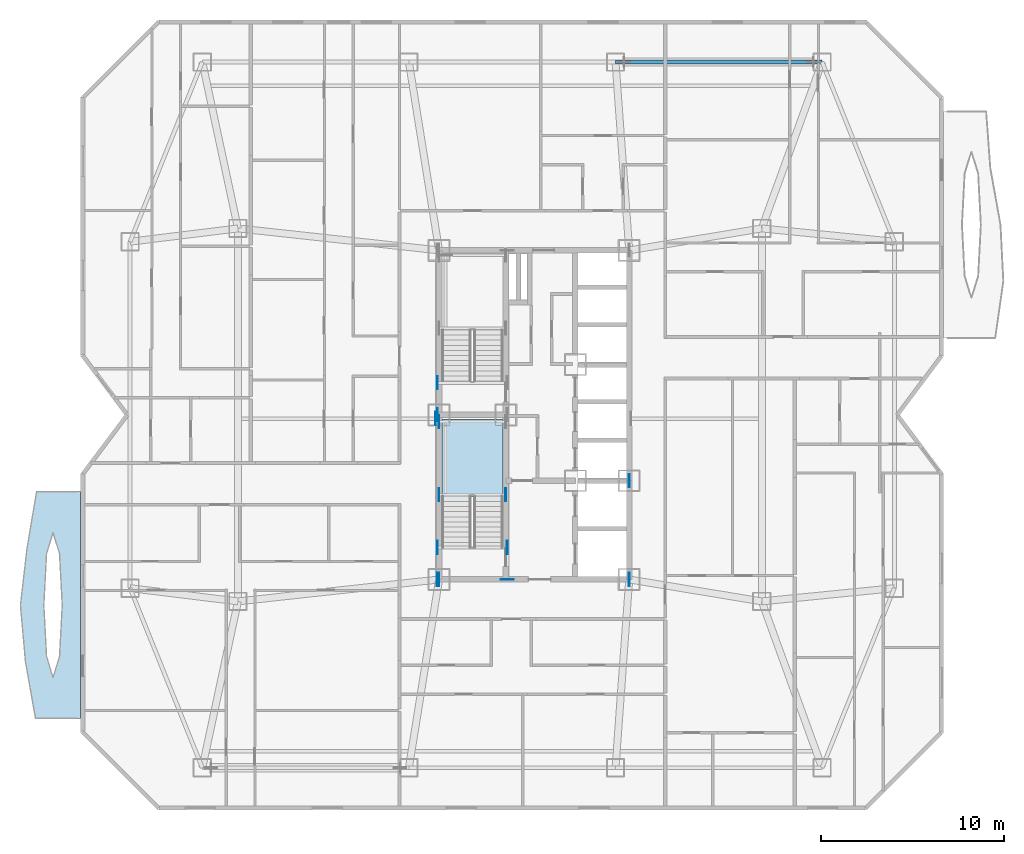
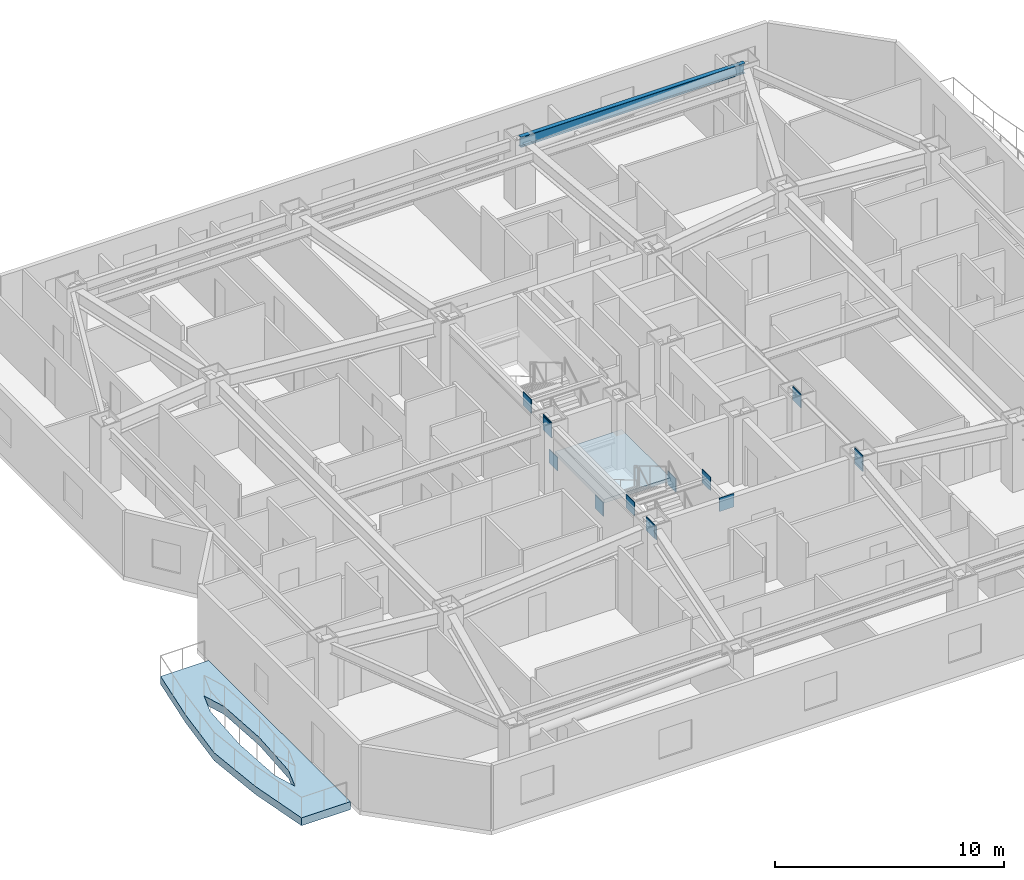
# One storey, part 2 of 15: 14 plates, 2 slabs, 1 beam, 1 element without a shape of its own.
"""IFC4 building model written with IfcOpenShell, lengths in metres."""

import ifcopenshell
import ifcopenshell.guid

model = None  # the IFC model being written
_history = None  # IfcOwnerHistory: only IFC2X3 demands one
_inside = {}  # id of a spatial element -> (the spatial element, [elements in it])
_under = {}  # id of a project, library or spatial element -> (it, [spatial elements below it])
_declared = {}  # id of a project -> (the project, [libraries it declares])
_typed = {}  # id of a type object -> (the type object, [elements of that type])
_made_of = {}  # id of a material, layer set ... -> (it, [elements and type objects made of it])


def new_model(schema):
    """Start an empty IFC model of exactly this schema.

    Asked for "IFC4X3", IfcOpenShell would pick the latest addendum, in which some entities
    have other attributes; the version numbers below select the first issue.
    IFC2X3 requires an IfcOwnerHistory on every rooted entity: one is made here for all.
    """
    global model, _history
    if schema == "IFC4X3":
        model = ifcopenshell.file(schema_version=(4, 3, 0, 0))
    else:
        model = ifcopenshell.file(schema=schema)
    _inside.clear()
    _under.clear()
    _declared.clear()
    _typed.clear()
    _made_of.clear()
    _history = None
    if model.schema == "IFC2X3":
        org = make("IfcOrganization", Name="unknown")
        user = make(
            "IfcPersonAndOrganization",
            ThePerson=make("IfcPerson", FamilyName="unknown"),
            TheOrganization=org,
        )
        app = make(
            "IfcApplication",
            ApplicationDeveloper=org,
            Version="unknown",
            ApplicationFullName="unknown",
            ApplicationIdentifier="unknown",
        )
        _history = make(
            "IfcOwnerHistory",
            OwningUser=user,
            OwningApplication=app,
            ChangeAction="ADDED",
            CreationDate=0,
        )
    return model


def make(cls, **values):
    """One entity of the class cls with the attributes given. An attribute that is None is left unset."""
    return model.create_entity(
        cls, **{name: value for name, value in values.items() if value is not None}
    )


def rooted(cls, **values):
    """An entity with a GlobalId (a new one), such as an element, a storey or a relation."""
    return make(cls, GlobalId=ifcopenshell.guid.new(), OwnerHistory=_history, **values)


def si_unit(unit_type, name, prefix=None):
    """IfcSIUnit, for example si_unit("LENGTHUNIT", "METRE", prefix="MILLI")."""
    return make("IfcSIUnit", UnitType=unit_type, Prefix=prefix, Name=name)


def assignment(units):
    """IfcUnitAssignment: the units of a project."""
    return None if units is None else make("IfcUnitAssignment", Units=units)


def point(xyz):
    """IfcCartesianPoint."""
    return None if xyz is None else make("IfcCartesianPoint", Coordinates=xyz)


def direction(xyz):
    """IfcDirection."""
    return None if xyz is None else make("IfcDirection", DirectionRatios=xyz)


def frame(location, z_axis=None, x_axis=None):
    """IfcAxis2Placement3D, a coordinate frame: its origin and axes. An axis left out is left unset."""
    return make(
        "IfcAxis2Placement3D",
        Location=point(location),
        Axis=direction(z_axis),
        RefDirection=direction(x_axis),
    )


def frame_2d(location, x_axis=None):
    """IfcAxis2Placement2D, a coordinate frame in the plane: its origin and x axis."""
    return make(
        "IfcAxis2Placement2D", Location=point(location), RefDirection=direction(x_axis)
    )


def origin():
    """The frame at (0, 0, 0) with its axes left unset."""
    return frame((0.0, 0.0, 0.0))


def origin_2d():
    """The frame at (0, 0) in the plane with its x axis left unset."""
    return frame_2d((0.0, 0.0))


def place(relative_to, where):
    """IfcLocalPlacement: puts the frame where relative to a parent placement (None: the world)."""
    return make(
        "IfcLocalPlacement", PlacementRelTo=relative_to, RelativePlacement=where
    )


def context(
    kind, dimensions, precision=None, world=None, true_north=None, identifier=None
):
    """IfcGeometricRepresentationContext, for example the 3D "Model" context."""
    return make(
        "IfcGeometricRepresentationContext",
        ContextIdentifier=identifier,
        ContextType=kind,
        CoordinateSpaceDimension=dimensions,
        Precision=precision,
        WorldCoordinateSystem=world,
        TrueNorth=true_north,
    )


def subcontext(parent, identifier, kind, view, scale=None):
    """IfcGeometricRepresentationSubContext, for example "Body" below "Model"."""
    return make(
        "IfcGeometricRepresentationSubContext",
        ContextIdentifier=identifier,
        ContextType=kind,
        ParentContext=parent,
        TargetScale=scale,
        TargetView=view,
    )


def project(units=None, contexts=None):
    """IfcProject with its units and contexts."""
    return rooted(
        "IfcProject",
        Name="project",
        RepresentationContexts=contexts,
        UnitsInContext=assignment(units),
    )


def spatial(cls, under=None, at=None, **own):
    """A site, building, storey or space (cls), placed at a placement, below another one or the project."""
    s = rooted(cls, ObjectPlacement=at, **own)
    if under is not None:
        _under.setdefault(under.id(), (under, []))[1].append(s)
    return s


def polyline(points):
    """IfcPolyline through the points."""
    return make("IfcPolyline", Points=[point(p) for p in points])


def profile(cls, at=None, kind="AREA", **sizes):
    """A parametric profile (cls). Its sizes go by their IFC names, for example OverallWidth=200.0."""
    return make(cls, ProfileType=kind, Position=at, **sizes)


def rectangle(**sizes):
    """IfcRectangleProfileDef."""
    return profile("IfcRectangleProfileDef", **sizes)


def i_section(**sizes):
    """IfcIShapeProfileDef."""
    return profile("IfcIShapeProfileDef", **sizes)


def outline(outer, holes=None, kind="AREA"):
    """IfcArbitraryClosedProfileDef: a profile drawn as a closed curve; with holes, ...WithVoids."""
    if holes is None:
        return make("IfcArbitraryClosedProfileDef", ProfileType=kind, OuterCurve=outer)
    return make(
        "IfcArbitraryProfileDefWithVoids",
        ProfileType=kind,
        OuterCurve=outer,
        InnerCurves=holes,
    )


def extrude(swept, where, along, depth):
    """IfcExtrudedAreaSolid: the profile swept, set in the frame where, extruded along a direction by depth."""
    return make(
        "IfcExtrudedAreaSolid",
        SweptArea=swept,
        Position=where,
        ExtrudedDirection=direction(along),
        Depth=depth,
    )


def shape(context_of_items, identifier, shape_type, items):
    """IfcShapeRepresentation: the items that make up one representation, for example the "Body"."""
    return make(
        "IfcShapeRepresentation",
        ContextOfItems=context_of_items,
        RepresentationIdentifier=identifier,
        RepresentationType=shape_type,
        Items=items,
    )


def material(Name=None, Category=None):
    """IfcMaterial."""
    return make("IfcMaterial", Name=Name, Category=Category)


def layer(
    of_material, thickness, ventilated=None, Name=None, Category=None, Priority=None
):
    """IfcMaterialLayer: one layer of a wall or slab, of a material (None: an air gap)."""
    return make(
        "IfcMaterialLayer",
        Material=of_material,
        LayerThickness=thickness,
        IsVentilated=ventilated,
        Name=Name,
        Category=Category,
        Priority=Priority,
    )


def layer_set(layers, Name=None):
    """IfcMaterialLayerSet."""
    return make("IfcMaterialLayerSet", MaterialLayers=layers, LayerSetName=Name)


def material_profile(
    of_material, cross_section, Name=None, Category=None, Priority=None
):
    """IfcMaterialProfile: a cross section and its material."""
    return make(
        "IfcMaterialProfile",
        Name=Name,
        Material=of_material,
        Profile=cross_section,
        Priority=Priority,
        Category=Category,
    )


def profile_set(profiles, Name=None, composite=None):
    """IfcMaterialProfileSet."""
    return make(
        "IfcMaterialProfileSet",
        Name=Name,
        MaterialProfiles=profiles,
        CompositeProfile=composite,
    )


def made_of(thing, what):
    """Note that an element or type object is made of a material, layer set ...; save() writes the relation."""
    if what is not None:
        _made_of.setdefault(what.id(), (what, []))[1].append(thing)
    return thing


def type_object(cls, material=None, **own):
    """A type object (cls), such as IfcWallType, which elements share."""
    return made_of(rooted(cls, **own), material)


def element(
    cls,
    number,
    at=None,
    inside=None,
    cuts=None,
    type_object=None,
    material=None,
    context=None,
    identifier="Body",
    shape_type=None,
    held_by="IfcProductDefinitionShape",
    body=None,
    shapes=None,
    **own,
):
    """One element of the class cls, such as IfcWall. Its Tag is "e" and its number.

    at: its placement. inside: the storey or other place that contains it. cuts: it is an
    opening in that element (IfcRelVoidsElement). A single representation is given by context,
    identifier, shape_type and body (its items); several are given by shapes. held_by: the class
    of the entity that holds the representations. save() writes the other relations.
    """
    e = rooted(cls, Tag="e%d" % number, ObjectPlacement=at, **own)
    if body is not None:
        shapes = [shape(context, identifier, shape_type, body)]
    if shapes is not None:
        e.Representation = make(held_by, Representations=shapes)
    if inside is not None:
        _inside.setdefault(inside.id(), (inside, []))[1].append(e)
    if cuts is not None:
        rooted(
            "IfcRelVoidsElement", RelatingBuildingElement=cuts, RelatedOpeningElement=e
        )
    if type_object is not None:
        _typed.setdefault(type_object.id(), (type_object, []))[1].append(e)
    return made_of(e, material)


def aggregate(whole, parts):
    """IfcRelAggregates: a whole, such as a stair, and the parts it consists of."""
    return rooted("IfcRelAggregates", RelatingObject=whole, RelatedObjects=parts)


def save(model, path):
    """Write the relations noted so far, then the file.

    IfcRelAggregates (storeys below a building ...), IfcRelContainedInSpatialStructure (elements
    in a storey), IfcRelDefinesByType, IfcRelAssociatesMaterial and IfcRelDeclares: one each for
    every whole, place, type object, material and project.
    """
    for whole, parts in _under.values():
        aggregate(whole, parts)
    for where, things in _inside.values():
        rooted(
            "IfcRelContainedInSpatialStructure",
            RelatedElements=things,
            RelatingStructure=where,
        )
    for kind, things in _typed.values():
        rooted("IfcRelDefinesByType", RelatedObjects=things, RelatingType=kind)
    for what, things in _made_of.values():
        rooted("IfcRelAssociatesMaterial", RelatedObjects=things, RelatingMaterial=what)
    for by, libraries in _declared.values():
        rooted("IfcRelDeclares", RelatingContext=by, RelatedDefinitions=libraries)
    model.write(path)


model = new_model("IFC4")

# Units and contexts
model_context = context("Model", 3, precision=1e-05, world=origin(), true_north=direction((0.0, 1.0)))
body_context = subcontext(model_context, "Body", "Model", "MODEL_VIEW")
ifc_project = project(units=[si_unit("LENGTHUNIT", "METRE"), si_unit("AREAUNIT", "SQUARE_METRE"), si_unit("VOLUMEUNIT", "CUBIC_METRE"), si_unit("PLANEANGLEUNIT", "RADIAN"), si_unit("MASSUNIT", "GRAM", prefix="KILO")], contexts=[model_context])

# Site, building, storey
site_placement = place(None, origin())
site = spatial("IfcSite", under=ifc_project, at=site_placement, CompositionType="ELEMENT")
building_placement = place(site_placement, origin())
building = spatial("IfcBuilding", under=site, at=building_placement, Name="Khamvora Tower", CompositionType="ELEMENT")
storey_placement = place(building_placement, frame((0.0, 0.0, 112.85009765625)))
storey = spatial("IfcBuildingStorey", under=building, at=storey_placement, Name="L28", CompositionType="ELEMENT", Elevation=112.85009765625)

# Beam
ifc_material_1 = material(Name="Steel S355", Category="steel")
ifc_material_profile = material_profile(ifc_material_1, i_section(OverallWidth=0.2119140625, OverallDepth=0.5439453125, WebThickness=0.012939453125, FlangeThickness=0.02099609375, FilletRadius=0.013916015625, at=origin_2d()), Name="W530x123")
ifc_profile_set = profile_set([ifc_material_profile], Name="Steel S355")
beam_type = type_object("IfcBeamType", Name="BM-SP-W530x123", PredefinedType="SPANDREL", material=ifc_profile_set)
beam_placement = place(storey_placement, frame((49.949951171875, 47.300048828125, 3.157958984375), z_axis=(-1.0, 0.0, 0.0), x_axis=(0.0, -1.0, 0.0)))
element("IfcBeam", 1, at=beam_placement, inside=storey, type_object=beam_type, Name="L28 perimeter spandrel beam N4-N3", PredefinedType="SPANDREL", context=body_context, shape_type="SweptSolid", body=[
    extrude(i_section(OverallWidth=0.2119140625, OverallDepth=0.5439453125, WebThickness=0.012939453125, FlangeThickness=0.02099609375, FilletRadius=0.013916015625, at=origin_2d()), origin(), (0.0, 0.0, 1.0), 11.300048828125),
])

# Plates
ifc_material_2 = material(Name="Steel S460", Category="steel")
ifc_layer_1 = layer(ifc_material_2, 0.034912109375)
ifc_layer_set_1 = layer_set([ifc_layer_1], Name="Steel S460")
plate_type = type_object("IfcPlateType", Name="PL-EMB-35", PredefinedType="SHEET", material=ifc_layer_set_1)
for number, where, z_axis, x_axis, name in (
    (2, (29.0, 23.635009765625, 1.1337890625), (0.0, 0.0, 1.0), (1.0, 0.0, 0.0), "L28 core shear wall cast-in embed plate 0824"),
    (3, (32.64990234375, 23.635009765625, 1.1337890625), (0.0, 0.0, 1.0), (1.0, 0.0, 0.0), "L28 core shear wall cast-in embed plate 0825"),
    (4, (29.0, 27.6298828125, 1.1337890625), (0.0, 0.0, 1.0), (1.0, 0.0, 0.0), "L28 core shear wall cast-in embed plate 0826"),
    (5, (29.0, 19.0, 2.68408203125), (0.0, 0.0, 1.0), (1.0, 0.0, 0.0), "L28 core shear wall cast-in embed plate 0833"),
    (6, (39.39990234375, 19.0, 2.68408203125), (0.0, 0.0, 1.0), (1.0, 0.0, 0.0), "L28 core shear wall cast-in embed plate 0834"),
    (7, (28.89990234375, 19.0, 2.8037109375), (0.0, 0.0, 1.0), (1.0, 0.0, 0.0), "L28 core shear wall cast-in embed plate 0837"),
    (8, (28.89990234375, 28.0, 2.8037109375), (0.0, 0.0, 1.0), (1.0, 0.0, 0.0), "L28 core shear wall cast-in embed plate 0838"),
):
    element("IfcPlate", number, at=place(storey_placement, frame(where, z_axis=z_axis, x_axis=x_axis)), inside=storey, type_object=plate_type, Name=name, PredefinedType="SHEET", context=body_context, shape_type="SweptSolid", body=[
        extrude(rectangle(XDim=0.034912109375, YDim=0.719970703125, at=origin_2d()), origin(), (0.0, 0.0, 1.0), 0.719970703125),
    ])
plate_placement = place(storey_placement, frame((32.72998046875, 19.0, 2.8037109375), z_axis=(0.0, 0.0, 1.0), x_axis=(1.0, 0.0, 0.0)))
element("IfcPlate", 9, at=plate_placement, inside=storey, type_object=plate_type, Name="L28 core shear wall cast-in embed plate 0840", PredefinedType="SHEET", context=body_context, shape_type="SweptSolid", body=[
    extrude(rectangle(XDim=0.719970703125, YDim=0.034912109375, at=origin_2d()), origin(), (0.0, 0.0, 1.0), 0.719970703125),
])
for number, where, z_axis, x_axis, name in (
    (10, (39.39990234375, 19.0, 2.8037109375), (0.0, 0.0, 1.0), (1.0, 0.0, 0.0), "L28 core shear wall cast-in embed plate 0843"),
    (11, (39.39990234375, 24.39990234375, 2.8037109375), (0.0, 0.0, 1.0), (1.0, 0.0, 0.0), "L28 core shear wall cast-in embed plate 0844"),
    (12, (28.89990234375, 20.75, 2.94384765625), (0.0, 0.0, 1.0), (1.0, 0.0, 0.0), "L28 core shear wall cast-in embed plate 0846"),
    (13, (32.72998046875, 20.75, 2.94384765625), (0.0, 0.0, 1.0), (1.0, 0.0, 0.0), "L28 core shear wall cast-in embed plate 0847"),
    (14, (28.89990234375, 29.75, 2.94384765625), (0.0, 0.0, 1.0), (1.0, 0.0, 0.0), "L28 core shear wall cast-in embed plate 0848"),
    (15, (28.800048828125, 27.800048828125, 2.8388671875), (0.0, 0.0, 1.0), (1.0, 0.0, 0.0), "L28 core shear wall cast-in embed plate 0850"),
):
    element("IfcPlate", number, at=place(storey_placement, frame(where, z_axis=z_axis, x_axis=x_axis)), inside=storey, type_object=plate_type, Name=name, PredefinedType="SHEET", context=body_context, shape_type="SweptSolid", body=[
        extrude(rectangle(XDim=0.034912109375, YDim=0.719970703125, at=origin_2d()), origin(), (0.0, 0.0, 1.0), 0.719970703125),
    ])

# Slab
ifc_material_3 = material(Name="Concrete C40/50", Category="concrete")
ifc_layer_2 = layer(ifc_material_3, 0.419921875)
ifc_layer_set_2 = layer_set([ifc_layer_2], Name="Concrete C40/50")
slab_type_1 = type_object("IfcSlabType", Name="SLB-GRD-420", PredefinedType="FLOOR", material=ifc_layer_set_2)
slab_1_placement = place(storey_placement, frame((0.0, 0.0, -0.420166015625)))
element("IfcSlab", 16, at=slab_1_placement, inside=storey, type_object=slab_type_1, Name="L28 external lens gallery slab WL1", PredefinedType="FLOOR", context=body_context, shape_type="SweptSolid", body=[
    extrude(outline(polyline([(9.39990234375, 11.39990234375), (9.39990234375, 23.800048828125), (6.986083984375, 23.800048828125), (6.4619140625, 20.699951171875), (6.10205078125, 17.60009765625), (6.376953125, 14.5), (6.927001953125, 11.39990234375), (9.39990234375, 11.39990234375)]), holes=[polyline([(8.388916015625, 17.60009765625), (8.240966796875, 20.406005859375), (7.885009765625, 21.568115234375), (7.529052734375, 20.406005859375), (7.381103515625, 17.60009765625), (7.529052734375, 14.7939453125), (7.885009765625, 13.632080078125), (8.240966796875, 14.7939453125), (8.388916015625, 17.60009765625)])]), origin(), (0.0, 0.0, 1.0), 0.420166015625),
])

# Stair, slab
stair_type = type_object("IfcStairType", Name="STR-ST-01", PredefinedType="HALF_TURN_STAIR", material=ifc_material_3)
stair_placement = place(storey_placement, origin())
stair = element("IfcStair", 17, at=stair_placement, inside=storey, type_object=stair_type, Name="L28 South Tower Exit Stair ST-01", PredefinedType="HALF_TURN_STAIR")
ifc_layer_3 = layer(ifc_material_3, 0.199951171875)
ifc_layer_set_3 = layer_set([ifc_layer_3], Name="Concrete C40/50")
slab_type_2 = type_object("IfcSlabType", Name="SLB-LND-200", PredefinedType="LANDING", material=ifc_layer_set_3)
slab_2_placement = place(storey_placement, frame((0.0, 0.0, 1.625)))
slab_2 = element("IfcSlab", 18, at=slab_2_placement, type_object=slab_type_2, Name="ST-01 landing 1", PredefinedType="LANDING", context=body_context, shape_type="SweptSolid", body=[
    extrude(outline(polyline([(32.5, 23.514892578125), (32.5, 27.75), (29.14990234375, 27.75), (29.14990234375, 23.514892578125), (32.5, 23.514892578125)])), origin(), (0.0, 0.0, 1.0), 0.199951171875),
])
aggregate(stair, [slab_2])

save(model, "model.ifc")
